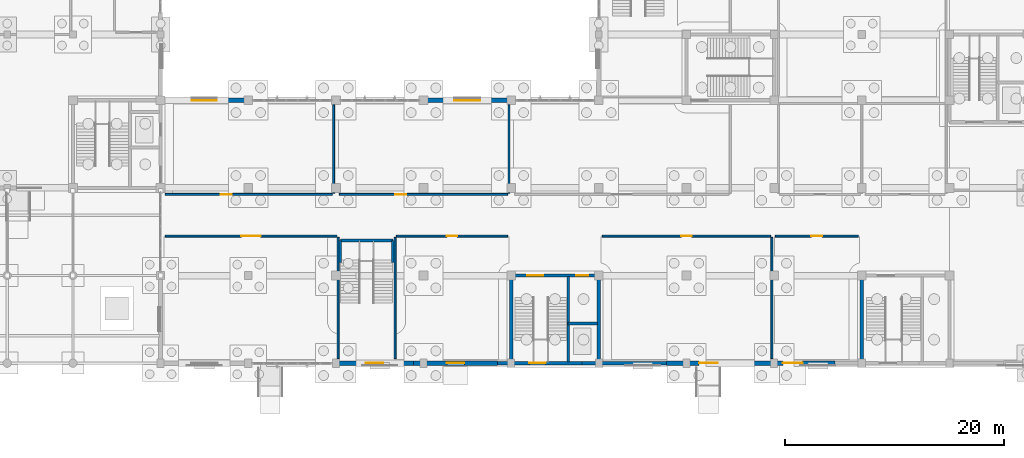
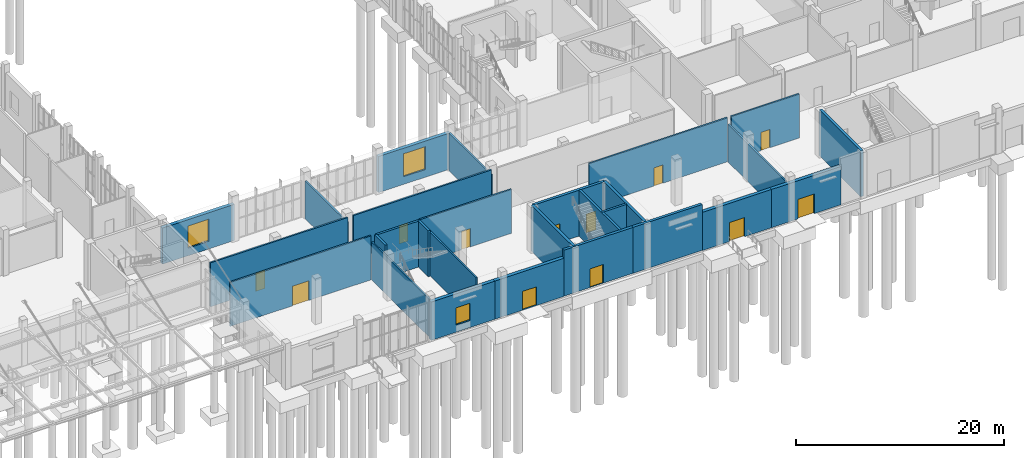
# One storey, part 45 of 69: 28 walls, 12 doors, 3 windows, 15 openings.
"""IFC4 building model written with IfcOpenShell, lengths in metres."""

from ifc_helpers import new_model, si_unit, direction, frame, frame_2d, origin, place, context, subcontext, project, spatial, rectangle, extrude, material, layer, layer_set, type_object, element, fill, save


model = new_model("IFC4")

# Units and contexts
model_context = context("Model", 3, precision=1e-05, world=origin(), true_north=direction((0.0, 1.0)))
body_context = subcontext(model_context, "Body", "Model", "MODEL_VIEW")
ifc_project = project(units=[si_unit("LENGTHUNIT", "METRE"), si_unit("AREAUNIT", "SQUARE_METRE"), si_unit("VOLUMEUNIT", "CUBIC_METRE"), si_unit("PLANEANGLEUNIT", "RADIAN"), si_unit("MASSUNIT", "GRAM", prefix="KILO")], contexts=[model_context])

# Site, building, storey
site_placement = place(None, origin())
site = spatial("IfcSite", under=ifc_project, at=site_placement, CompositionType="ELEMENT")
building_placement = place(site_placement, origin())
building = spatial("IfcBuilding", under=site, at=building_placement, Name="Solvane Community Centre", CompositionType="ELEMENT")
storey_placement = place(building_placement, origin())
storey = spatial("IfcBuildingStorey", under=building, at=storey_placement, Name="L00", CompositionType="ELEMENT", Elevation=0.0)

# Wall, opening, window
ifc_material_1 = material(Name="Terracotta clay masonry", Category="masonry")
ifc_layer_1 = layer(ifc_material_1, 0.3798828125)
ifc_layer_set_1 = layer_set([ifc_layer_1], Name="Terracotta clay masonry")
wall_type_1 = type_object("IfcWallType", Name="Art Deco Terracotta Plinth Wall 380mm [71x45dm]", PredefinedType="SOLIDWALL", material=ifc_layer_set_1)
wall_1_placement = place(storey_placement, frame((91.076904296875, 6.0, 0.0), z_axis=(0.0, 0.0, 1.0), x_axis=(-1.0, 0.0, 0.0)))
wall_1 = element("IfcWall", 1, at=wall_1_placement, inside=storey, type_object=wall_type_1, Name="Exterior Wall WL-EXT-L00-0011", PredefinedType="SOLIDWALL", context=body_context, shape_type="SweptSolid", body=[
    extrude(rectangle(XDim=7.076904296875, YDim=0.3798828125, at=frame_2d((3.53857421875, 0.0))), origin(), (0.0, 0.0, 1.0), 4.4951171875),
])
opening_1_placement = place(wall_1_placement, frame((2.738037109375, 0.0, 0.85009765625)))
opening_1 = element("IfcOpeningElement", 2, at=opening_1_placement, cuts=wall_1, Name="Opening WN04", PredefinedType="OPENING", context=body_context, shape_type="SweptSolid", body=[
    extrude(rectangle(XDim=1.60009765625, YDim=2.0, at=frame_2d((0.800048828125, 1.0))), frame((0.0, 0.199951171875, 0.0), z_axis=(0.0, -1.0, 0.0), x_axis=(1.0, 0.0, 0.0)), (0.0, 0.0, 1.0), 0.39990234375),
])
ifc_material_2 = material(Name="Tempered low-E double glazing", Category="glass")
window_type_1 = type_object("IfcWindowType", Name="Nursery Daylight Window 1600x2000", PartitioningType="DOUBLE_PANEL_VERTICAL", PredefinedType="WINDOW", material=ifc_material_2)
window_1_placement = place(opening_1_placement, origin())
window_1 = element("IfcWindow", 3, at=window_1_placement, inside=storey, type_object=window_type_1, Name="L00-W001", OverallHeight=2.0, OverallWidth=1.60009765625, PartitioningType="DOUBLE_PANEL_VERTICAL", PredefinedType="WINDOW", context=body_context, shape_type="SweptSolid", body=[
    extrude(rectangle(XDim=1.60009765625, YDim=2.0, at=frame_2d((0.800048828125, 1.0))), frame((0.0, 0.030029296875, 0.0), z_axis=(0.0, -1.0, 0.0), x_axis=(1.0, 0.0, 0.0)), (0.0, 0.0, 1.0), 0.06005859375),
])
fill(opening_1, window_1)

# Wall, opening, door
ifc_layer_2 = layer(ifc_material_1, 0.3798828125)
ifc_layer_set_2 = layer_set([ifc_layer_2], Name="Terracotta clay masonry")
wall_type_2 = type_object("IfcWallType", Name="Art Deco Terracotta Plinth Wall 380mm [77x45dm]", PredefinedType="SOLIDWALL", material=ifc_layer_set_2)
wall_2_placement = place(storey_placement, frame((129.53857421875, 6.0, 0.0), z_axis=(0.0, 0.0, 1.0), x_axis=(-1.0, 0.0, 0.0)))
wall_2 = element("IfcWall", 4, at=wall_2_placement, inside=storey, type_object=wall_type_2, Name="Exterior Wall WL-EXT-L00-0006", PredefinedType="SOLIDWALL", context=body_context, shape_type="SweptSolid", body=[
    extrude(rectangle(XDim=7.6923828125, YDim=0.3798828125, at=frame_2d((3.84619140625, 0.0))), origin(), (0.0, 0.0, 1.0), 4.4951171875),
])
opening_2_placement = place(wall_2_placement, frame((2.946044921875, 0.0, 0.0)))
opening_2 = element("IfcOpeningElement", 5, at=opening_2_placement, cuts=wall_2, Name="Opening D02", PredefinedType="OPENING", context=body_context, shape_type="SweptSolid", body=[
    extrude(rectangle(XDim=1.800048828125, YDim=2.300048828125, at=frame_2d((0.89990234375, 1.14990234375))), frame((0.0, 0.199951171875, 0.0), z_axis=(0.0, -1.0, 0.0), x_axis=(1.0, 0.0, 0.0)), (0.0, 0.0, 1.0), 0.39990234375),
])
ifc_material_3 = material(Name="Anodised bronze aluminium AW-6063 T6", Category="aluminium")
door_type_1 = type_object("IfcDoorType", Name="Primary Civic Exit Pair 1800x2300", OperationType="NOTDEFINED", PredefinedType="DOOR", material=ifc_material_3)
door_1_placement = place(opening_2_placement, origin())
door_1 = element("IfcDoor", 6, at=door_1_placement, inside=storey, type_object=door_type_1, Name="L00-ED04", OperationType="DOUBLE_DOOR_SINGLE_SWING", OverallHeight=2.300048828125, OverallWidth=1.800048828125, PredefinedType="DOOR", context=body_context, shape_type="SweptSolid", body=[
    extrude(rectangle(XDim=1.800048828125, YDim=2.300048828125, at=frame_2d((0.89990234375, 1.14990234375))), frame((0.0, 0.02490234375, 0.0), z_axis=(0.0, -1.0, 0.0), x_axis=(1.0, 0.0, 0.0)), (0.0, 0.0, 1.0), 0.050048828125),
])
fill(opening_2, door_1)

wall_3_placement = place(storey_placement, frame((121.84619140625, 6.0, 0.0), z_axis=(0.0, 0.0, 1.0), x_axis=(-1.0, 0.0, 0.0)))
wall_3 = element("IfcWall", 7, at=wall_3_placement, inside=storey, type_object=wall_type_2, Name="Exterior Wall WL-EXT-L00-0007", PredefinedType="SOLIDWALL", context=body_context, shape_type="SweptSolid", body=[
    extrude(rectangle(XDim=7.6923828125, YDim=0.3798828125, at=frame_2d((3.84619140625, 0.0))), origin(), (0.0, 0.0, 1.0), 4.4951171875),
])
opening_3_placement = place(wall_3_placement, frame((2.99609375, 0.0, 0.0)))
opening_3 = element("IfcOpeningElement", 8, at=opening_3_placement, cuts=wall_3, Name="Opening D07", PredefinedType="OPENING", context=body_context, shape_type="SweptSolid", body=[
    extrude(rectangle(XDim=1.699951171875, YDim=2.25, at=frame_2d((0.85009765625, 1.125))), frame((0.0, 0.199951171875, 0.0), z_axis=(0.0, -1.0, 0.0), x_axis=(1.0, 0.0, 0.0)), (0.0, 0.0, 1.0), 0.39990234375),
])
door_type_2 = type_object("IfcDoorType", Name="Nursery Garden Double Door 1700x2250", OperationType="NOTDEFINED", PredefinedType="DOOR", material=ifc_material_3)
door_2_placement = place(opening_3_placement, origin())
door_2 = element("IfcDoor", 9, at=door_2_placement, inside=storey, type_object=door_type_2, Name="L00-ED05", OperationType="DOUBLE_DOOR_SINGLE_SWING", OverallHeight=2.25, OverallWidth=1.699951171875, PredefinedType="DOOR", context=body_context, shape_type="SweptSolid", body=[
    extrude(rectangle(XDim=1.699951171875, YDim=2.25, at=frame_2d((0.85009765625, 1.125))), frame((0.0, 0.02490234375, 0.0), z_axis=(0.0, -1.0, 0.0), x_axis=(1.0, 0.0, 0.0)), (0.0, 0.0, 1.0), 0.050048828125),
])
fill(opening_3, door_2)

wall_4_placement = place(storey_placement, frame((98.769287109375, 6.0, 0.0), z_axis=(0.0, 0.0, 1.0), x_axis=(-1.0, 0.0, 0.0)))
wall_4 = element("IfcWall", 10, at=wall_4_placement, inside=storey, type_object=wall_type_2, Name="Exterior Wall WL-EXT-L00-0010", PredefinedType="SOLIDWALL", context=body_context, shape_type="SweptSolid", body=[
    extrude(rectangle(XDim=7.6923828125, YDim=0.3798828125, at=frame_2d((3.84619140625, 0.0))), origin(), (0.0, 0.0, 1.0), 4.4951171875),
])
opening_4_placement = place(wall_4_placement, frame((3.0458984375, 0.0, 0.0)))
opening_4 = element("IfcOpeningElement", 11, at=opening_4_placement, cuts=wall_4, Name="Opening D03", PredefinedType="OPENING", context=body_context, shape_type="SweptSolid", body=[
    extrude(rectangle(XDim=1.60009765625, YDim=2.199951171875, at=frame_2d((0.800048828125, 1.10009765625))), frame((0.0, 0.199951171875, 0.0), z_axis=(0.0, -1.0, 0.0), x_axis=(1.0, 0.0, 0.0)), (0.0, 0.0, 1.0), 0.39990234375),
])
door_type_3 = type_object("IfcDoorType", Name="Secondary Courtyard Exit Pair 1600x2200", OperationType="NOTDEFINED", PredefinedType="DOOR", material=ifc_material_3)
door_3_placement = place(opening_4_placement, origin())
door_3 = element("IfcDoor", 12, at=door_3_placement, inside=storey, type_object=door_type_3, Name="L00-ED06", OperationType="DOUBLE_DOOR_SINGLE_SWING", OverallHeight=2.199951171875, OverallWidth=1.60009765625, PredefinedType="DOOR", context=body_context, shape_type="SweptSolid", body=[
    extrude(rectangle(XDim=1.60009765625, YDim=2.199951171875, at=frame_2d((0.800048828125, 1.10009765625))), frame((0.0, 0.02490234375, 0.0), z_axis=(0.0, -1.0, 0.0), x_axis=(1.0, 0.0, 0.0)), (0.0, 0.0, 1.0), 0.050048828125),
])
fill(opening_4, door_3)

# Wall, opening, window
ifc_layer_3 = layer(ifc_material_1, 0.3798828125)
ifc_layer_set_3 = layer_set([ifc_layer_3], Name="Terracotta clay masonry")
wall_type_3 = type_object("IfcWallType", Name="Art Deco Terracotta Plinth Wall 380mm [80x42dm]", PredefinedType="SOLIDWALL", material=ifc_layer_set_3)
wall_5_placement = place(storey_placement, frame((68.0, 30.0, 0.0), z_axis=(0.0, 0.0, 1.0), x_axis=(1.0, 0.0, 0.0)))
wall_5 = element("IfcWall", 13, at=wall_5_placement, inside=storey, type_object=wall_type_3, Name="Exterior Wall WL-EXT-L00-0043", PredefinedType="SOLIDWALL", context=body_context, shape_type="SweptSolid", body=[
    extrude(rectangle(XDim=8.0, YDim=0.3798828125, at=frame_2d((4.0, 0.0))), origin(), (0.0, 0.0, 1.0), 4.2451171875),
])
opening_5_placement = place(wall_5_placement, frame((2.85009765625, 0.0, 0.89990234375)))
opening_5 = element("IfcOpeningElement", 14, at=opening_5_placement, cuts=wall_5, Name="Opening WN12", PredefinedType="OPENING", context=body_context, shape_type="SweptSolid", body=[
    extrude(rectangle(XDim=2.300048828125, YDim=2.60009765625, at=frame_2d((1.14990234375, 1.300048828125))), frame((0.0, 0.199951171875, 0.0), z_axis=(0.0, -1.0, 0.0), x_axis=(1.0, 0.0, 0.0)), (0.0, 0.0, 1.0), 0.39990234375),
])
window_type_2 = type_object("IfcWindowType", Name="Dining Loggia Tall Window 2300x2600", PartitioningType="DOUBLE_PANEL_VERTICAL", PredefinedType="WINDOW", material=ifc_material_2)
window_2_placement = place(opening_5_placement, origin())
window_2 = element("IfcWindow", 15, at=window_2_placement, inside=storey, type_object=window_type_2, Name="L00-W016", OverallHeight=2.60009765625, OverallWidth=2.300048828125, PartitioningType="DOUBLE_PANEL_VERTICAL", PredefinedType="WINDOW", context=body_context, shape_type="SweptSolid", body=[
    extrude(rectangle(XDim=2.300048828125, YDim=2.60009765625, at=frame_2d((1.14990234375, 1.300048828125))), frame((0.0, 0.030029296875, 0.0), z_axis=(0.0, -1.0, 0.0), x_axis=(1.0, 0.0, 0.0)), (0.0, 0.0, 1.0), 0.06005859375),
])
fill(opening_5, window_2)

wall_6_placement = place(storey_placement, frame((92.0, 30.0, 0.0), z_axis=(0.0, 0.0, 1.0), x_axis=(1.0, 0.0, 0.0)))
wall_6 = element("IfcWall", 16, at=wall_6_placement, inside=storey, type_object=wall_type_3, Name="Exterior Wall WL-EXT-L00-0044", PredefinedType="SOLIDWALL", context=body_context, shape_type="SweptSolid", body=[
    extrude(rectangle(XDim=8.0, YDim=0.3798828125, at=frame_2d((4.0, 0.0))), origin(), (0.0, 0.0, 1.0), 4.2451171875),
])
opening_6_placement = place(wall_6_placement, frame((2.800048828125, 0.0, 0.89990234375)))
opening_6 = element("IfcOpeningElement", 17, at=opening_6_placement, cuts=wall_6, Name="Opening WN11", PredefinedType="OPENING", context=body_context, shape_type="SweptSolid", body=[
    extrude(rectangle(XDim=2.39990234375, YDim=2.699951171875, at=frame_2d((1.199951171875, 1.35009765625))), frame((0.0, 0.199951171875, 0.0), z_axis=(0.0, -1.0, 0.0), x_axis=(1.0, 0.0, 0.0)), (0.0, 0.0, 1.0), 0.39990234375),
])
window_type_3 = type_object("IfcWindowType", Name="Boulevard Pier Window 2400x2700", PartitioningType="DOUBLE_PANEL_VERTICAL", PredefinedType="WINDOW", material=ifc_material_2)
window_3_placement = place(opening_6_placement, origin())
window_3 = element("IfcWindow", 18, at=window_3_placement, inside=storey, type_object=window_type_3, Name="L00-W017", OverallHeight=2.699951171875, OverallWidth=2.39990234375, PartitioningType="DOUBLE_PANEL_VERTICAL", PredefinedType="WINDOW", context=body_context, shape_type="SweptSolid", body=[
    extrude(rectangle(XDim=2.39990234375, YDim=2.699951171875, at=frame_2d((1.199951171875, 1.35009765625))), frame((0.0, 0.030029296875, 0.0), z_axis=(0.0, -1.0, 0.0), x_axis=(1.0, 0.0, 0.0)), (0.0, 0.0, 1.0), 0.06005859375),
])
fill(opening_6, window_3)

# Wall, opening, door
ifc_material_4 = material(Name="Gypsum board partition")
ifc_layer_4 = layer(ifc_material_4, 0.179931640625)
ifc_layer_set_4 = layer_set([ifc_layer_4], Name="Gypsum board partition")
wall_type_4 = type_object("IfcWallType", Name="Protected Corridor Wall 180mm [102x52dm]", PredefinedType="PARTITIONING", material=ifc_layer_set_4)
wall_7_placement = place(storey_placement, frame((99.679931640625, 17.60009765625, 0.0), z_axis=(0.0, 0.0, 1.0), x_axis=(-1.0, 0.0, 0.0)))
wall_7 = element("IfcWall", 19, at=wall_7_placement, inside=storey, type_object=wall_type_4, Name="Interior Wall WL-INT-L00-0183", PredefinedType="PARTITIONING", context=body_context, shape_type="SweptSolid", body=[
    extrude(rectangle(XDim=10.159912109375, YDim=0.179931640625, at=frame_2d((5.080078125, 0.0))), origin(), (0.0, 0.0, 1.0), 5.159912109375),
])
opening_7_placement = place(wall_7_placement, frame((4.580078125, 0.0, 0.0)))
opening_7 = element("IfcOpeningElement", 20, at=opening_7_placement, cuts=wall_7, Name="Opening ID01", PredefinedType="OPENING", context=body_context, shape_type="SweptSolid", body=[
    extrude(rectangle(XDim=1.0, YDim=2.14990234375, at=frame_2d((0.5, 1.074951171875))), frame((0.0, 0.099853515625, 0.0), z_axis=(0.0, -1.0, 0.0), x_axis=(1.0, 0.0, 0.0)), (0.0, 0.0, 1.0), 0.199951171875),
])
door_type_4 = type_object("IfcDoorType", Name="Corridor Rated Classroom Door 1000x2150", OperationType="NOTDEFINED", PredefinedType="DOOR", material=ifc_material_3)
door_4_placement = place(opening_7_placement, origin())
door_4 = element("IfcDoor", 21, at=door_4_placement, inside=storey, type_object=door_type_4, Name="L00-D060", OperationType="SINGLE_SWING_LEFT", OverallHeight=2.14990234375, OverallWidth=1.0, PredefinedType="DOOR", context=body_context, shape_type="SweptSolid", body=[
    extrude(rectangle(XDim=1.0, YDim=2.14990234375, at=frame_2d((0.5, 1.074951171875))), frame((0.0, 0.02490234375, 0.0), z_axis=(0.0, -1.0, 0.0), x_axis=(1.0, 0.0, 0.0)), (0.0, 0.0, 1.0), 0.050048828125),
])
fill(opening_7, door_4)

# Walls
ifc_layer_5 = layer(ifc_material_4, 0.179931640625)
ifc_layer_set_5 = layer_set([ifc_layer_5], Name="Gypsum board partition")
wall_type_5 = type_object("IfcWallType", Name="Protected Corridor Wall 180mm [111x44dm]", PredefinedType="PARTITIONING", material=ifc_layer_set_5)
for number, where, z_axis, x_axis, name in (
    (22, (84.199951171875, 6.419921875, 0.0), (0.0, 0.0, 1.0), (0.0, 1.0, 0.0), "Interior Wall WL-INT-L00-0182"),
    (23, (123.800048828125, 6.419921875, 0.0), (0.0, 0.0, 1.0), (0.0, 1.0, 0.0), "Interior Wall WL-INT-L00-0190"),
):
    element("IfcWall", number, at=place(storey_placement, frame(where, z_axis=z_axis, x_axis=x_axis)), inside=storey, type_object=wall_type_5, Name=name, PredefinedType="PARTITIONING", context=body_context, shape_type="SweptSolid", body=[
        extrude(rectangle(XDim=11.06005859375, YDim=0.179931640625, at=frame_2d((5.530029296875, 0.0))), origin(), (0.0, 0.0, 1.0), 4.445068359375),
    ])
ifc_layer_6 = layer(ifc_material_4, 0.179931640625)
ifc_layer_set_6 = layer_set([ifc_layer_6], Name="Gypsum board partition")
wall_type_6 = type_object("IfcWallType", Name="Protected Corridor Wall 180mm [111x52dm]", PredefinedType="PARTITIONING", material=ifc_layer_set_6)
wall_8_placement = place(storey_placement, frame((89.39990234375, 17.47998046875, 0.0), z_axis=(0.0, 0.0, 1.0), x_axis=(0.0, -1.0, 0.0)))
element("IfcWall", 24, at=wall_8_placement, inside=storey, type_object=wall_type_6, Name="Interior Wall WL-INT-L00-0184", PredefinedType="PARTITIONING", context=body_context, shape_type="SweptSolid", body=[
    extrude(rectangle(XDim=11.06005859375, YDim=0.179931640625, at=frame_2d((5.530029296875, 0.0))), origin(), (0.0, 0.0, 1.0), 5.159912109375),
])

# Wall, opening, door
ifc_layer_7 = layer(ifc_material_4, 0.179931640625)
ifc_layer_set_7 = layer_set([ifc_layer_7], Name="Gypsum board partition")
wall_type_7 = type_object("IfcWallType", Name="Protected Corridor Wall 180mm [153x52dm]", PredefinedType="PARTITIONING", material=ifc_layer_set_7)
wall_9_placement = place(storey_placement, frame((68.419921875, 21.39990234375, 0.0), z_axis=(0.0, 0.0, 1.0), x_axis=(1.0, 0.0, 0.0)))
wall_9 = element("IfcWall", 25, at=wall_9_placement, inside=storey, type_object=wall_type_7, Name="Interior Wall WL-INT-L00-0185", PredefinedType="PARTITIONING", context=body_context, shape_type="SweptSolid", body=[
    extrude(rectangle(XDim=15.260009765625, YDim=0.179931640625, at=frame_2d((7.6298828125, 0.0))), origin(), (0.0, 0.0, 1.0), 5.159912109375),
])
opening_8_placement = place(wall_9_placement, frame((5.0810546875, 0.0, 0.0)))
opening_8 = element("IfcOpeningElement", 26, at=opening_8_placement, cuts=wall_9, Name="Opening ID01", PredefinedType="OPENING", context=body_context, shape_type="SweptSolid", body=[
    extrude(rectangle(XDim=1.0, YDim=2.14990234375, at=frame_2d((0.5, 1.074951171875))), frame((0.0, 0.099853515625, 0.0), z_axis=(0.0, -1.0, 0.0), x_axis=(1.0, 0.0, 0.0)), (0.0, 0.0, 1.0), 0.199951171875),
])
door_5_placement = place(opening_8_placement, origin())
door_5 = element("IfcDoor", 27, at=door_5_placement, inside=storey, type_object=door_type_4, Name="L00-D061", OperationType="SINGLE_SWING_RIGHT", OverallHeight=2.14990234375, OverallWidth=1.0, PredefinedType="DOOR", context=body_context, shape_type="SweptSolid", body=[
    extrude(rectangle(XDim=1.0, YDim=2.14990234375, at=frame_2d((0.5, 1.074951171875))), frame((0.0, 0.02490234375, 0.0), z_axis=(0.0, -1.0, 0.0), x_axis=(1.0, 0.0, 0.0)), (0.0, 0.0, 1.0), 0.050048828125),
])
fill(opening_8, door_5)

ifc_layer_8 = layer(ifc_material_4, 0.179931640625)
ifc_layer_set_8 = layer_set([ifc_layer_8], Name="Gypsum board partition")
wall_type_8 = type_object("IfcWallType", Name="Protected Corridor Wall 180mm [154x52dm]", PredefinedType="PARTITIONING", material=ifc_layer_set_8)
wall_10_placement = place(storey_placement, frame((84.320068359375, 21.39990234375, 0.0), z_axis=(0.0, 0.0, 1.0), x_axis=(1.0, 0.0, 0.0)))
wall_10 = element("IfcWall", 28, at=wall_10_placement, inside=storey, type_object=wall_type_8, Name="Interior Wall WL-INT-L00-0187", PredefinedType="PARTITIONING", context=body_context, shape_type="SweptSolid", body=[
    extrude(rectangle(XDim=15.35986328125, YDim=0.179931640625, at=frame_2d((7.679931640625, 0.0))), origin(), (0.0, 0.0, 1.0), 5.159912109375),
])
opening_9_placement = place(wall_10_placement, frame((5.115966796875, 0.0, 0.0)))
opening_9 = element("IfcOpeningElement", 29, at=opening_9_placement, cuts=wall_10, Name="Opening ID01", PredefinedType="OPENING", context=body_context, shape_type="SweptSolid", body=[
    extrude(rectangle(XDim=1.0, YDim=2.14990234375, at=frame_2d((0.5, 1.074951171875))), frame((0.0, 0.099853515625, 0.0), z_axis=(0.0, -1.0, 0.0), x_axis=(1.0, 0.0, 0.0)), (0.0, 0.0, 1.0), 0.199951171875),
])
door_6_placement = place(opening_9_placement, origin())
door_6 = element("IfcDoor", 30, at=door_6_placement, inside=storey, type_object=door_type_4, Name="L00-D062", OperationType="SINGLE_SWING_LEFT", OverallHeight=2.14990234375, OverallWidth=1.0, PredefinedType="DOOR", context=body_context, shape_type="SweptSolid", body=[
    extrude(rectangle(XDim=1.0, YDim=2.14990234375, at=frame_2d((0.5, 1.074951171875))), frame((0.0, 0.02490234375, 0.0), z_axis=(0.0, -1.0, 0.0), x_axis=(1.0, 0.0, 0.0)), (0.0, 0.0, 1.0), 0.050048828125),
])
fill(opening_9, door_6)

wall_11_placement = place(storey_placement, frame((123.679931640625, 17.60009765625, 0.0), z_axis=(0.0, 0.0, 1.0), x_axis=(-1.0, 0.0, 0.0)))
wall_11 = element("IfcWall", 31, at=wall_11_placement, inside=storey, type_object=wall_type_8, Name="Interior Wall WL-INT-L00-0189", PredefinedType="PARTITIONING", context=body_context, shape_type="SweptSolid", body=[
    extrude(rectangle(XDim=15.35986328125, YDim=0.179931640625, at=frame_2d((7.679931640625, 0.0))), origin(), (0.0, 0.0, 1.0), 5.159912109375),
])
opening_10_placement = place(wall_11_placement, frame((7.179931640625, 0.0, 0.0)))
opening_10 = element("IfcOpeningElement", 32, at=opening_10_placement, cuts=wall_11, Name="Opening ID01", PredefinedType="OPENING", context=body_context, shape_type="SweptSolid", body=[
    extrude(rectangle(XDim=1.0, YDim=2.14990234375, at=frame_2d((0.5, 1.074951171875))), frame((0.0, 0.099853515625, 0.0), z_axis=(0.0, -1.0, 0.0), x_axis=(1.0, 0.0, 0.0)), (0.0, 0.0, 1.0), 0.199951171875),
])
door_7_placement = place(opening_10_placement, origin())
door_7 = element("IfcDoor", 33, at=door_7_placement, inside=storey, type_object=door_type_4, Name="L00-D063", OperationType="SINGLE_SWING_RIGHT", OverallHeight=2.14990234375, OverallWidth=1.0, PredefinedType="DOOR", context=body_context, shape_type="SweptSolid", body=[
    extrude(rectangle(XDim=1.0, YDim=2.14990234375, at=frame_2d((0.5, 1.074951171875))), frame((0.0, 0.02490234375, 0.0), z_axis=(0.0, -1.0, 0.0), x_axis=(1.0, 0.0, 0.0)), (0.0, 0.0, 1.0), 0.050048828125),
])
fill(opening_10, door_7)

ifc_layer_9 = layer(ifc_material_4, 0.179931640625)
ifc_layer_set_9 = layer_set([ifc_layer_9], Name="Gypsum board partition")
wall_type_9 = type_object("IfcWallType", Name="Protected Corridor Wall 180mm [157x52dm]", PredefinedType="PARTITIONING", material=ifc_layer_set_9)
wall_12_placement = place(storey_placement, frame((84.080078125, 17.60009765625, 0.0), z_axis=(0.0, 0.0, 1.0), x_axis=(-1.0, 0.0, 0.0)))
wall_12 = element("IfcWall", 34, at=wall_12_placement, inside=storey, type_object=wall_type_9, Name="Interior Wall WL-INT-L00-0181", PredefinedType="PARTITIONING", context=body_context, shape_type="SweptSolid", body=[
    extrude(rectangle(XDim=15.66015625, YDim=0.179931640625, at=frame_2d((7.830078125, 0.0))), origin(), (0.0, 0.0, 1.0), 5.159912109375),
])
opening_11_placement = place(wall_12_placement, frame((6.929931640625, 0.0, 0.0)))
opening_11 = element("IfcOpeningElement", 35, at=opening_11_placement, cuts=wall_12, Name="Opening ID02", PredefinedType="OPENING", context=body_context, shape_type="SweptSolid", body=[
    extrude(rectangle(XDim=1.800048828125, YDim=2.300048828125, at=frame_2d((0.89990234375, 1.14990234375))), frame((0.0, 0.099853515625, 0.0), z_axis=(0.0, -1.0, 0.0), x_axis=(1.0, 0.0, 0.0)), (0.0, 0.0, 1.0), 0.199951171875),
])
door_type_5 = type_object("IfcDoorType", Name="Hall Acoustic Double Door 1800x2300", OperationType="NOTDEFINED", PredefinedType="DOOR", material=ifc_material_3)
door_8_placement = place(opening_11_placement, origin())
door_8 = element("IfcDoor", 36, at=door_8_placement, inside=storey, type_object=door_type_5, Name="L00-D059", OperationType="DOUBLE_DOOR_SINGLE_SWING", OverallHeight=2.300048828125, OverallWidth=1.800048828125, PredefinedType="DOOR", context=body_context, shape_type="SweptSolid", body=[
    extrude(rectangle(XDim=1.800048828125, YDim=2.300048828125, at=frame_2d((0.89990234375, 1.14990234375))), frame((0.0, 0.02490234375, 0.0), z_axis=(0.0, -1.0, 0.0), x_axis=(1.0, 0.0, 0.0)), (0.0, 0.0, 1.0), 0.050048828125),
])
fill(opening_11, door_8)

ifc_layer_10 = layer(ifc_material_4, 0.179931640625)
ifc_layer_set_10 = layer_set([ifc_layer_10], Name="Gypsum board partition")
wall_type_10 = type_object("IfcWallType", Name="Protected Corridor Wall 180mm [76x52dm]", PredefinedType="PARTITIONING", material=ifc_layer_set_10)
wall_13_placement = place(storey_placement, frame((131.679931640625, 17.60009765625, 0.0), z_axis=(0.0, 0.0, 1.0), x_axis=(-1.0, 0.0, 0.0)))
wall_13 = element("IfcWall", 37, at=wall_13_placement, inside=storey, type_object=wall_type_10, Name="Interior Wall WL-INT-L00-0191", PredefinedType="PARTITIONING", context=body_context, shape_type="SweptSolid", body=[
    extrude(rectangle(XDim=7.559814453125, YDim=0.179931640625, at=frame_2d((3.77978515625, 0.0))), origin(), (0.0, 0.0, 1.0), 5.159912109375),
])
opening_12_placement = place(wall_13_placement, frame((3.280029296875, 0.0, 0.0)))
opening_12 = element("IfcOpeningElement", 38, at=opening_12_placement, cuts=wall_13, Name="Opening ID01", PredefinedType="OPENING", context=body_context, shape_type="SweptSolid", body=[
    extrude(rectangle(XDim=1.0, YDim=2.14990234375, at=frame_2d((0.5, 1.074951171875))), frame((0.0, 0.099853515625, 0.0), z_axis=(0.0, -1.0, 0.0), x_axis=(1.0, 0.0, 0.0)), (0.0, 0.0, 1.0), 0.199951171875),
])
door_9_placement = place(opening_12_placement, origin())
door_9 = element("IfcDoor", 39, at=door_9_placement, inside=storey, type_object=door_type_4, Name="L00-D064", OperationType="SINGLE_SWING_LEFT", OverallHeight=2.14990234375, OverallWidth=1.0, PredefinedType="DOOR", context=body_context, shape_type="SweptSolid", body=[
    extrude(rectangle(XDim=1.0, YDim=2.14990234375, at=frame_2d((0.5, 1.074951171875))), frame((0.0, 0.02490234375, 0.0), z_axis=(0.0, -1.0, 0.0), x_axis=(1.0, 0.0, 0.0)), (0.0, 0.0, 1.0), 0.050048828125),
])
fill(opening_12, door_9)

# Walls
ifc_layer_11 = layer(ifc_material_4, 0.179931640625)
ifc_layer_set_11 = layer_set([ifc_layer_11], Name="Gypsum board partition")
wall_type_11 = type_object("IfcWallType", Name="Protected Corridor Wall 180mm [81x44dm]", PredefinedType="PARTITIONING", material=ifc_layer_set_11)
for number, where, z_axis, x_axis, name in (
    (40, (83.800048828125, 21.52001953125, 0.0), (0.0, 0.0, 1.0), (0.0, 1.0, 0.0), "Interior Wall WL-INT-L00-0186"),
    (41, (99.800048828125, 21.52001953125, 0.0), (0.0, 0.0, 1.0), (0.0, 1.0, 0.0), "Interior Wall WL-INT-L00-0188"),
):
    element("IfcWall", number, at=place(storey_placement, frame(where, z_axis=z_axis, x_axis=x_axis)), inside=storey, type_object=wall_type_11, Name=name, PredefinedType="PARTITIONING", context=body_context, shape_type="SweptSolid", body=[
        extrude(rectangle(XDim=8.06005859375, YDim=0.179931640625, at=frame_2d((4.030029296875, 0.0))), origin(), (0.0, 0.0, 1.0), 4.445068359375),
    ])
ifc_material_5 = material(Name="Concrete C35/45", Category="concrete")
ifc_layer_12 = layer(ifc_material_5, 0.300048828125)
ifc_layer_set_12 = layer_set([ifc_layer_12], Name="Concrete C35/45")
wall_type_12 = type_object("IfcWallType", Name="RC Core Shear Wall 300mm [80x54dm]", PredefinedType="SHEAR", material=ifc_layer_set_12)
wall_14_placement = place(storey_placement, frame((100.0, 6.0, 0.0), z_axis=(0.0, 0.0, 1.0), x_axis=(0.0, 1.0, 0.0)))
element("IfcWall", 42, at=wall_14_placement, inside=storey, type_object=wall_type_12, Name="Interior Wall WL-INT-L00-0029", PredefinedType="SHEAR", context=body_context, shape_type="SweptSolid", body=[
    extrude(rectangle(XDim=8.0, YDim=0.300048828125, at=frame_2d((4.0, 0.0))), origin(), (0.0, 0.0, 1.0), 5.39990234375),
])

# Wall, openings, doors
wall_15_placement = place(storey_placement, frame((100.0, 14.0, 0.0), z_axis=(0.0, 0.0, 1.0), x_axis=(1.0, 0.0, 0.0)))
wall_15 = element("IfcWall", 43, at=wall_15_placement, inside=storey, type_object=wall_type_12, Name="Interior Wall WL-INT-L00-0030", PredefinedType="SHEAR", context=body_context, shape_type="SweptSolid", body=[
    extrude(rectangle(XDim=8.0, YDim=0.300048828125, at=frame_2d((4.0, 0.0))), origin(), (0.0, 0.0, 1.0), 5.39990234375),
])
opening_13_placement = place(wall_15_placement, frame((1.449951171875, 0.0, 0.0)))
opening_13 = element("IfcOpeningElement", 44, at=opening_13_placement, cuts=wall_15, Name="Opening SD01", PredefinedType="OPENING", context=body_context, shape_type="SweptSolid", body=[
    extrude(rectangle(XDim=1.5, YDim=2.199951171875, at=frame_2d((0.75, 1.10009765625))), frame((0.0, 0.159912109375, 0.0), z_axis=(0.0, -1.0, 0.0), x_axis=(1.0, 0.0, 0.0)), (0.0, 0.0, 1.0), 0.320068359375),
])
opening_14_placement = place(wall_15_placement, frame((5.949951171875, 0.0, 0.0)))
opening_14 = element("IfcOpeningElement", 45, at=opening_14_placement, cuts=wall_15, Name="Opening LD01", PredefinedType="OPENING", context=body_context, shape_type="SweptSolid", body=[
    extrude(rectangle(XDim=1.10009765625, YDim=2.199951171875, at=frame_2d((0.550048828125, 1.10009765625))), frame((0.0, 0.159912109375, 0.0), z_axis=(0.0, -1.0, 0.0), x_axis=(1.0, 0.0, 0.0)), (0.0, 0.0, 1.0), 0.320068359375),
])
door_type_6 = type_object("IfcDoorType", Name="Lift Sliding Landing Door 1100x2200", OperationType="NOTDEFINED", PredefinedType="DOOR", material=ifc_material_3)
door_10_placement = place(opening_14_placement, origin())
door_10 = element("IfcDoor", 46, at=door_10_placement, inside=storey, type_object=door_type_6, Name="L00-D013", OperationType="SLIDING_TO_LEFT", OverallHeight=2.199951171875, OverallWidth=1.10009765625, PredefinedType="DOOR", context=body_context, shape_type="SweptSolid", body=[
    extrude(rectangle(XDim=1.10009765625, YDim=2.199951171875, at=frame_2d((0.550048828125, 1.10009765625))), frame((0.0, 0.02490234375, 0.0), z_axis=(0.0, -1.0, 0.0), x_axis=(1.0, 0.0, 0.0)), (0.0, 0.0, 1.0), 0.050048828125),
])
fill(opening_14, door_10)
door_type_7 = type_object("IfcDoorType", Name="Stair Discharge Fire Pair 1500x2200", OperationType="NOTDEFINED", PredefinedType="DOOR", material=ifc_material_3)
door_11_placement = place(opening_13_placement, origin())
door_11 = element("IfcDoor", 47, at=door_11_placement, inside=storey, type_object=door_type_7, Name="L00-D011", OperationType="DOUBLE_DOOR_SINGLE_SWING", OverallHeight=2.199951171875, OverallWidth=1.5, PredefinedType="DOOR", context=body_context, shape_type="SweptSolid", body=[
    extrude(rectangle(XDim=1.5, YDim=2.199951171875, at=frame_2d((0.75, 1.10009765625))), frame((0.0, 0.02490234375, 0.0), z_axis=(0.0, -1.0, 0.0), x_axis=(1.0, 0.0, 0.0)), (0.0, 0.0, 1.0), 0.050048828125),
])
fill(opening_13, door_11)

# Walls
for number, where, z_axis, x_axis, name in (
    (48, (108.0, 14.0, 0.0), (0.0, 0.0, 1.0), (0.0, -1.0, 0.0), "Interior Wall WL-INT-L00-0031"),
    (49, (132.0, 6.0, 0.0), (0.0, 0.0, 1.0), (0.0, 1.0, 0.0), "Interior Wall WL-INT-L00-0054"),
):
    element("IfcWall", number, at=place(storey_placement, frame(where, z_axis=z_axis, x_axis=x_axis)), inside=storey, type_object=wall_type_12, Name=name, PredefinedType="SHEAR", context=body_context, shape_type="SweptSolid", body=[
        extrude(rectangle(XDim=8.0, YDim=0.300048828125, at=frame_2d((4.0, 0.0))), origin(), (0.0, 0.0, 1.0), 5.39990234375),
    ])
ifc_layer_13 = layer(ifc_material_5, 0.300048828125)
ifc_layer_set_13 = layer_set([ifc_layer_13], Name="Concrete C35/45")
wall_type_13 = type_object("IfcWallType", Name="RC Exterior Core Strip Wall 300mm [77x45dm]", PredefinedType="SOLIDWALL", material=ifc_layer_set_13)
wall_16_placement = place(storey_placement, frame((114.15380859375, 6.0, 0.0), z_axis=(0.0, 0.0, 1.0), x_axis=(-1.0, 0.0, 0.0)))
element("IfcWall", 50, at=wall_16_placement, inside=storey, type_object=wall_type_13, Name="Exterior Wall WL-EXT-L00-0008", PredefinedType="SOLIDWALL", context=body_context, shape_type="SweptSolid", body=[
    extrude(rectangle(XDim=7.6923828125, YDim=0.300048828125, at=frame_2d((3.84619140625, 0.0))), origin(), (0.0, 0.0, 1.0), 5.39990234375),
])

# Wall, opening, door
wall_17_placement = place(storey_placement, frame((106.46142578125, 6.0, 0.0), z_axis=(0.0, 0.0, 1.0), x_axis=(-1.0, 0.0, 0.0)))
wall_17 = element("IfcWall", 51, at=wall_17_placement, inside=storey, type_object=wall_type_13, Name="Exterior Wall WL-EXT-L00-0009", PredefinedType="SOLIDWALL", context=body_context, shape_type="SweptSolid", body=[
    extrude(rectangle(XDim=7.692138671875, YDim=0.300048828125, at=frame_2d((3.84619140625, 0.0))), origin(), (0.0, 0.0, 1.0), 5.39990234375),
])
opening_15_placement = place(wall_17_placement, frame((3.31103515625, 0.0, 0.0)))
opening_15 = element("IfcOpeningElement", 52, at=opening_15_placement, cuts=wall_17, Name="Opening SD01", PredefinedType="OPENING", context=body_context, shape_type="SweptSolid", body=[
    extrude(rectangle(XDim=1.5, YDim=2.199951171875, at=frame_2d((0.75, 1.10009765625))), frame((0.0, 0.159912109375, 0.0), z_axis=(0.0, -1.0, 0.0), x_axis=(1.0, 0.0, 0.0)), (0.0, 0.0, 1.0), 0.320068359375),
])
door_12_placement = place(opening_15_placement, origin())
door_12 = element("IfcDoor", 53, at=door_12_placement, inside=storey, type_object=door_type_7, Name="L00-D012", OperationType="DOUBLE_DOOR_SINGLE_SWING", OverallHeight=2.199951171875, OverallWidth=1.5, PredefinedType="DOOR", context=body_context, shape_type="SweptSolid", body=[
    extrude(rectangle(XDim=1.5, YDim=2.199951171875, at=frame_2d((0.75, 1.10009765625))), frame((0.0, 0.02490234375, 0.0), z_axis=(0.0, -1.0, 0.0), x_axis=(1.0, 0.0, 0.0)), (0.0, 0.0, 1.0), 0.050048828125),
])
fill(opening_15, door_12)

# Walls
ifc_layer_14 = layer(ifc_material_5, 0.25)
ifc_layer_set_14 = layer_set([ifc_layer_14], Name="Concrete C35/45")
wall_type_14 = type_object("IfcWallType", Name="RC Lift Shaft Wall 250mm [20x54dm]", PredefinedType="SHEAR", material=ifc_layer_set_14)
for number, where, z_axis, x_axis, name in (
    (54, (84.39990234375, 15.199951171875, 0.0), (0.0, 0.0, 1.0), (0.0, 1.0, 0.0), "Interior Wall WL-INT-L00-0137"),
    (55, (89.199951171875, 17.199951171875, 0.0), (0.0, 0.0, 1.0), (0.0, -1.0, 0.0), "Interior Wall WL-INT-L00-0139"),
):
    element("IfcWall", number, at=place(storey_placement, frame(where, z_axis=z_axis, x_axis=x_axis)), inside=storey, type_object=wall_type_14, Name=name, PredefinedType="SHEAR", context=body_context, shape_type="SweptSolid", body=[
        extrude(rectangle(XDim=2.0, YDim=0.25, at=frame_2d((1.0, 0.0))), origin(), (0.0, 0.0, 1.0), 5.39990234375),
    ])
ifc_layer_15 = layer(ifc_material_5, 0.25)
ifc_layer_set_15 = layer_set([ifc_layer_15], Name="Concrete C35/45")
wall_type_15 = type_object("IfcWallType", Name="RC Lift Shaft Wall 250mm [27x54dm]", PredefinedType="SHEAR", material=ifc_layer_set_15)
wall_18_placement = place(storey_placement, frame((105.199951171875, 9.6201171875, 0.0), z_axis=(0.0, 0.0, 1.0), x_axis=(1.0, 0.0, 0.0)))
element("IfcWall", 56, at=wall_18_placement, inside=storey, type_object=wall_type_15, Name="Interior Wall WL-INT-L00-0033", PredefinedType="SHEAR", context=body_context, shape_type="SweptSolid", body=[
    extrude(rectangle(XDim=2.699951171875, YDim=0.25, at=frame_2d((1.35009765625, 0.0))), origin(), (0.0, 0.0, 1.0), 5.39990234375),
])
ifc_layer_16 = layer(ifc_material_5, 0.25)
ifc_layer_set_16 = layer_set([ifc_layer_16], Name="Concrete C35/45")
wall_type_16 = type_object("IfcWallType", Name="RC Lift Shaft Wall 250mm [48x54dm]", PredefinedType="SHEAR", material=ifc_layer_set_16)
wall_19_placement = place(storey_placement, frame((84.39990234375, 17.199951171875, 0.0), z_axis=(0.0, 0.0, 1.0), x_axis=(1.0, 0.0, 0.0)))
element("IfcWall", 57, at=wall_19_placement, inside=storey, type_object=wall_type_16, Name="Interior Wall WL-INT-L00-0138", PredefinedType="SHEAR", context=body_context, shape_type="SweptSolid", body=[
    extrude(rectangle(XDim=4.800048828125, YDim=0.25, at=frame_2d((2.39990234375, 0.0))), origin(), (0.0, 0.0, 1.0), 5.39990234375),
])
ifc_layer_17 = layer(ifc_material_5, 0.25)
ifc_layer_set_17 = layer_set([ifc_layer_17], Name="Concrete C35/45")
wall_type_17 = type_object("IfcWallType", Name="RC Lift Shaft Wall 250mm [78x54dm]", PredefinedType="SHEAR", material=ifc_layer_set_17)
wall_20_placement = place(storey_placement, frame((105.199951171875, 6.10009765625, 0.0), z_axis=(0.0, 0.0, 1.0), x_axis=(0.0, 1.0, 0.0)))
element("IfcWall", 58, at=wall_20_placement, inside=storey, type_object=wall_type_17, Name="Interior Wall WL-INT-L00-0032", PredefinedType="SHEAR", context=body_context, shape_type="SweptSolid", body=[
    extrude(rectangle(XDim=7.7998046875, YDim=0.25, at=frame_2d((3.89990234375, 0.0))), origin(), (0.0, 0.0, 1.0), 5.39990234375),
])

save(model, "model.ifc")
